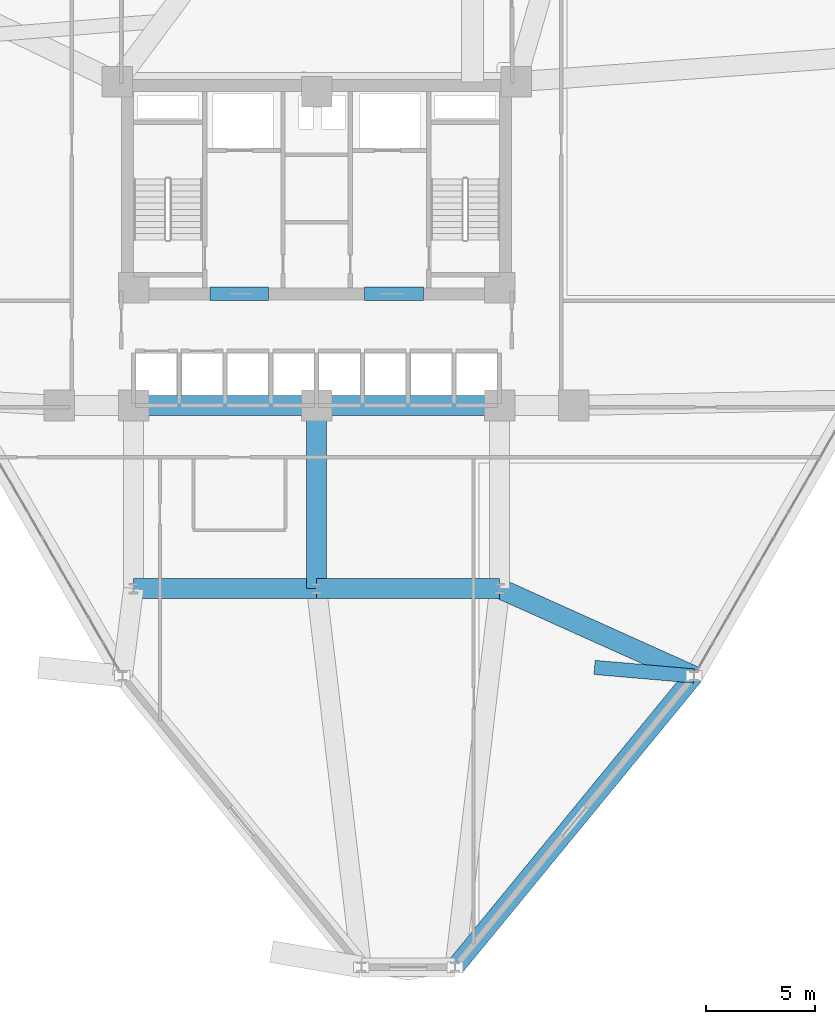
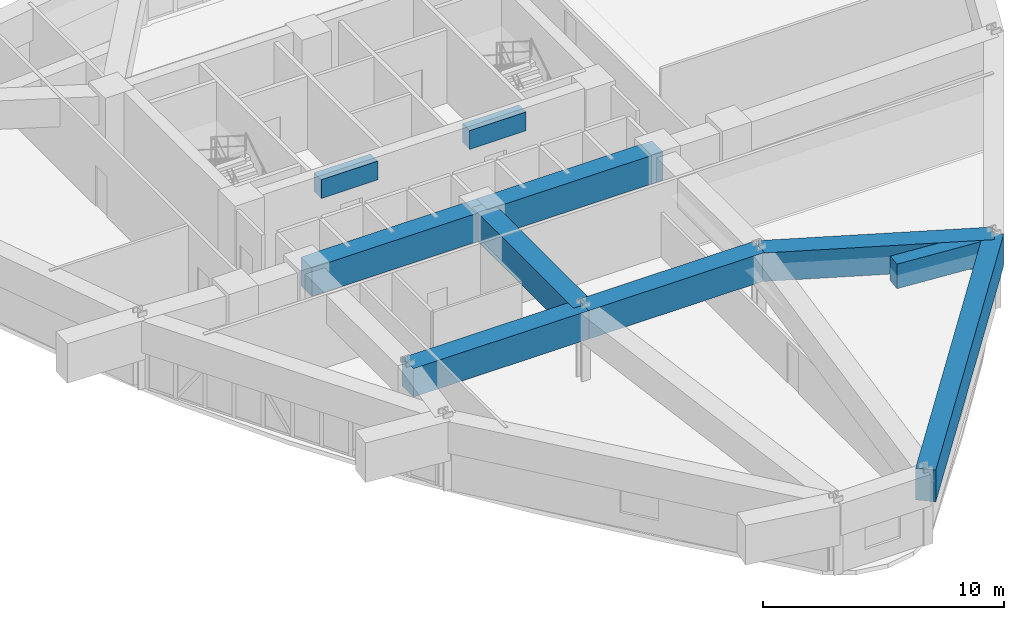
# One storey, part 5 of 18: 10 beams.
"""IFC4 building model written with IfcOpenShell, lengths in metres."""

from ifc_helpers import new_model, si_unit, derived_unit, direction, frame, origin, origin_2d, place, context, subcontext, project, spatial, rectangle, extrude, source, transform, mapped, material, material_profile, profile_set, type_object, element, save


model = new_model("IFC4")

# Units and contexts
model_context = context("Model", 3, precision=1e-05, world=origin(), true_north=direction((0.0, 1.0)))
body_context = subcontext(model_context, "Body", "Model", "MODEL_VIEW")
ifc_project = project(units=[si_unit("LENGTHUNIT", "METRE"), si_unit("AREAUNIT", "SQUARE_METRE"), si_unit("VOLUMEUNIT", "CUBIC_METRE"), si_unit("PLANEANGLEUNIT", "RADIAN"), si_unit("MASSUNIT", "GRAM", prefix="KILO"), derived_unit("THERMALTRANSMITTANCEUNIT", [(si_unit("POWERUNIT", "WATT"), 1), (si_unit("LENGTHUNIT", "METRE"), -2), (si_unit("THERMODYNAMICTEMPERATUREUNIT", "KELVIN"), -1)])], contexts=[model_context])

# Site, building, storey
site_placement = place(None, origin())
site = spatial("IfcSite", under=ifc_project, at=site_placement, CompositionType="ELEMENT")
building_placement = place(site_placement, origin())
building = spatial("IfcBuilding", under=site, at=building_placement, Name="Korsvarv Bourse and Concert Hall", CompositionType="ELEMENT")
storey_placement = place(building_placement, frame((0.0, 0.0, 95.10009765625)))
storey = spatial("IfcBuildingStorey", under=building, at=storey_placement, Name="L23", CompositionType="ELEMENT", Elevation=95.10009765625)

# Beams
ifc_material_1 = material(Name="Concrete C55/67", Category="concrete")
ifc_material_profile_1 = material_profile(ifc_material_1, rectangle(XDim=0.60009765625, YDim=0.949951171875, at=origin_2d()), Name="RC-BM 600x950")
ifc_profile_set_1 = profile_set([ifc_material_profile_1], Name="Concrete C55/67")
beam_type_1 = type_object("IfcBeamType", Name="BM-CPL", PredefinedType="LINTEL", material=ifc_profile_set_1)
shared_shape_1 = source(origin(), body_context, "Body", "SweptSolid", [
    extrude(rectangle(XDim=0.60009765625, YDim=0.949951171875, at=origin_2d()), origin(), (0.0, 0.0, 1.0), 2.699951171875),
])
for number, where, z_axis, x_axis, name in (
    (1, (31.10009765625, 37.52490234375, 3.224853515625), (1.0, 0.0, 0.0), (0.0, 1.0, 0.0), "L23 Core Coupling Beam West"),
    (2, (38.199951171875, 37.52490234375, 3.224853515625), (1.0, 0.0, 0.0), (0.0, 1.0, 0.0), "L23 Core Coupling Beam East"),
):
    element("IfcBeam", number, at=place(storey_placement, frame(where, z_axis=z_axis, x_axis=x_axis)), inside=storey, type_object=beam_type_1, Name=name, PredefinedType="LINTEL", context=body_context, shape_type="MappedRepresentation", body=[
        mapped(shared_shape_1, transform((0.0, 0.0, 0.0), scale=1.0)),
    ])
ifc_material_2 = material(Name="Concrete C50/60", Category="concrete")
ifc_material_profile_2 = material_profile(ifc_material_2, rectangle(XDim=0.919921875, YDim=1.43994140625, at=origin_2d()), Name="RC-BM 920x1440")
ifc_profile_set_2 = profile_set([ifc_material_profile_2], Name="Concrete C50/60")
beam_type_2 = type_object("IfcBeamType", Name="BM-TR-144", PredefinedType="BEAM", material=ifc_profile_set_2)
shared_shape_2 = source(origin(), body_context, "Body", "SweptSolid", [
    extrude(rectangle(XDim=0.919921875, YDim=1.43994140625, at=origin_2d()), origin(), (0.0, 0.0, 1.0), 8.39990234375),
])
for number, where, z_axis, x_axis, name in (
    (3, (27.60009765625, 32.39990234375, 2.949951171875), (1.0, 0.0, 0.0), (0.0, 1.0, 0.0), "L23 beam B-TR4"),
    (4, (36.0, 32.39990234375, 2.949951171875), (1.0, 0.0, 0.0), (0.0, 1.0, 0.0), "L23 beam B-TR4"),
    (5, (27.60009765625, 24.0, 2.949951171875), (1.0, 0.0, 0.0), (0.0, 1.0, 0.0), "L23 beam B-TR4"),
    (6, (36.0, 24.0, 2.949951171875), (1.0, 0.0, 0.0), (0.0, 1.0, 0.0), "L23 beam B-TR4"),
    (7, (36.0, 24.0, 2.949951171875), (0.0, 1.0, 0.0), (-1.0, 0.0, 0.0), "L23 beam B-TR4"),
):
    element("IfcBeam", number, at=place(storey_placement, frame(where, z_axis=z_axis, x_axis=x_axis)), inside=storey, type_object=beam_type_2, Name=name, PredefinedType="BEAM", context=body_context, shape_type="MappedRepresentation", body=[
        mapped(shared_shape_2, transform((0.0, 0.0, 0.0), scale=1.0)),
    ])
ifc_material_profile_3 = material_profile(ifc_material_1, rectangle(XDim=0.85009765625, YDim=1.60009765625, at=origin_2d()), Name="RC-BM 850x1600")
ifc_profile_set_3 = profile_set([ifc_material_profile_3], Name="Concrete C55/67")
beam_type_3 = type_object("IfcBeamType", Name="BM-TR1B", PredefinedType="BEAM", material=ifc_profile_set_3)
shared_shape_3 = source(origin(), body_context, "Body", "SweptSolid", [
    extrude(rectangle(XDim=0.85009765625, YDim=1.60009765625, at=origin_2d()), origin(), (0.0, 0.0, 1.0), 17.27587890625),
])
beam_1_placement = place(storey_placement, frame((42.3505859375, 6.63623046875, 2.869873046875), z_axis=(0.634361438059, 0.773036587688, 0.0), x_axis=(-0.773036587688, 0.634361438059, 0.0)))
element("IfcBeam", 8, at=beam_1_placement, inside=storey, type_object=beam_type_3, Name="L23 beam B-TR2", PredefinedType="BEAM", context=body_context, shape_type="MappedRepresentation", body=[
    mapped(shared_shape_3, transform((0.0, 0.0, 0.0), scale=1.0)),
])
shared_shape_4 = source(origin(), body_context, "Body", "SweptSolid", [
    extrude(rectangle(XDim=0.919921875, YDim=1.43994140625, at=origin_2d()), origin(), (0.0, 0.0, 1.0), 9.770263671875),
])
beam_2_placement = place(storey_placement, frame((53.309814453125, 19.9912109375, 2.949951171875), z_axis=(-0.911947218973, 0.410307530772, 0.0), x_axis=(-0.410307530772, -0.911947218973, 0.0)))
element("IfcBeam", 9, at=beam_2_placement, inside=storey, type_object=beam_type_2, Name="L23 beam B-TR4", PredefinedType="BEAM", context=body_context, shape_type="MappedRepresentation", body=[
    mapped(shared_shape_4, transform((0.0, 0.0, 0.0), scale=1.0)),
])
ifc_material_profile_4 = material_profile(ifc_material_2, rectangle(XDim=0.64990234375, YDim=1.239990234375, at=origin_2d()), Name="RC-BM 650x1240")
ifc_profile_set_4 = profile_set([ifc_material_profile_4], Name="Concrete C50/60")
beam_type_4 = type_object("IfcBeamType", Name="BM-TR-SPN", PredefinedType="BEAM", material=ifc_profile_set_4)
shared_shape_5 = source(origin(), body_context, "Body", "SweptSolid", [
    extrude(rectangle(XDim=0.64990234375, YDim=1.239990234375, at=origin_2d()), origin(), (0.0, 0.0, 1.0), 4.575439453125),
])
beam_3_placement = place(storey_placement, frame((53.309814453125, 19.9912109375, 3.0498046875), z_axis=(-0.996330545652, 0.085588806514, 0.0), x_axis=(-0.085588806514, -0.996330545652, 0.0)))
element("IfcBeam", 10, at=beam_3_placement, inside=storey, type_object=beam_type_4, Name="L23 Block-Shift Transfer Girder 11", PredefinedType="BEAM", context=body_context, shape_type="MappedRepresentation", body=[
    mapped(shared_shape_5, transform((0.0, 0.0, 0.0), scale=1.0)),
])

save(model, "model.ifc")
